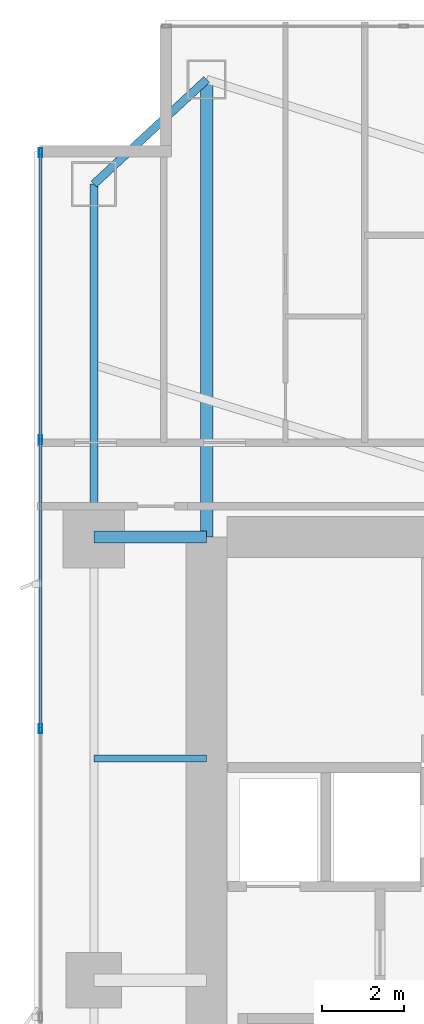
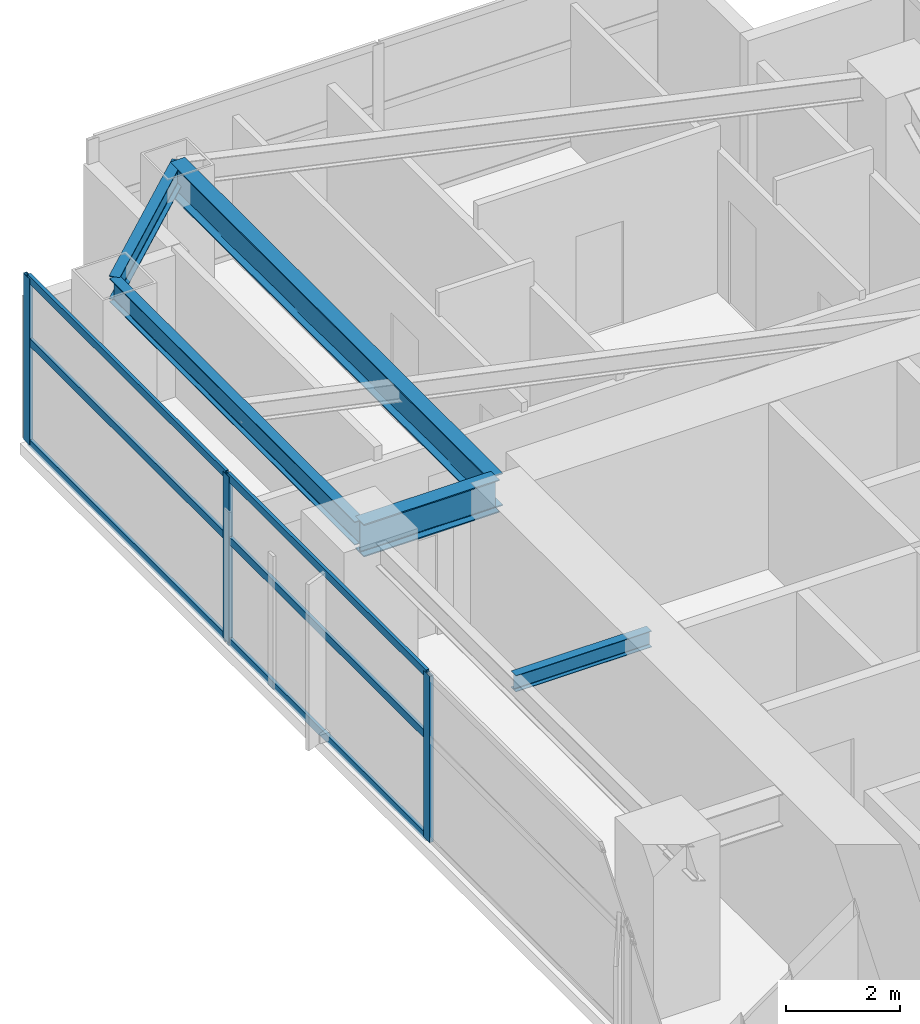
# One storey, part 16 of 30: 9 members, 5 beams, 1 element without a shape of its own.
"""IFC4 building model written with IfcOpenShell, lengths in metres."""

import ifcopenshell
import ifcopenshell.guid

model = None  # the IFC model being written
_history = None  # IfcOwnerHistory: only IFC2X3 demands one
_inside = {}  # id of a spatial element -> (the spatial element, [elements in it])
_under = {}  # id of a project, library or spatial element -> (it, [spatial elements below it])
_declared = {}  # id of a project -> (the project, [libraries it declares])
_typed = {}  # id of a type object -> (the type object, [elements of that type])
_made_of = {}  # id of a material, layer set ... -> (it, [elements and type objects made of it])


def new_model(schema):
    """Start an empty IFC model of exactly this schema.

    Asked for "IFC4X3", IfcOpenShell would pick the latest addendum, in which some entities
    have other attributes; the version numbers below select the first issue.
    IFC2X3 requires an IfcOwnerHistory on every rooted entity: one is made here for all.
    """
    global model, _history
    if schema == "IFC4X3":
        model = ifcopenshell.file(schema_version=(4, 3, 0, 0))
    else:
        model = ifcopenshell.file(schema=schema)
    _inside.clear()
    _under.clear()
    _declared.clear()
    _typed.clear()
    _made_of.clear()
    _history = None
    if model.schema == "IFC2X3":
        org = make("IfcOrganization", Name="unknown")
        user = make(
            "IfcPersonAndOrganization",
            ThePerson=make("IfcPerson", FamilyName="unknown"),
            TheOrganization=org,
        )
        app = make(
            "IfcApplication",
            ApplicationDeveloper=org,
            Version="unknown",
            ApplicationFullName="unknown",
            ApplicationIdentifier="unknown",
        )
        _history = make(
            "IfcOwnerHistory",
            OwningUser=user,
            OwningApplication=app,
            ChangeAction="ADDED",
            CreationDate=0,
        )
    return model


def make(cls, **values):
    """One entity of the class cls with the attributes given. An attribute that is None is left unset."""
    return model.create_entity(
        cls, **{name: value for name, value in values.items() if value is not None}
    )


def rooted(cls, **values):
    """An entity with a GlobalId (a new one), such as an element, a storey or a relation."""
    return make(cls, GlobalId=ifcopenshell.guid.new(), OwnerHistory=_history, **values)


def si_unit(unit_type, name, prefix=None):
    """IfcSIUnit, for example si_unit("LENGTHUNIT", "METRE", prefix="MILLI")."""
    return make("IfcSIUnit", UnitType=unit_type, Prefix=prefix, Name=name)


def assignment(units):
    """IfcUnitAssignment: the units of a project."""
    return None if units is None else make("IfcUnitAssignment", Units=units)


def point(xyz):
    """IfcCartesianPoint."""
    return None if xyz is None else make("IfcCartesianPoint", Coordinates=xyz)


def direction(xyz):
    """IfcDirection."""
    return None if xyz is None else make("IfcDirection", DirectionRatios=xyz)


def frame(location, z_axis=None, x_axis=None):
    """IfcAxis2Placement3D, a coordinate frame: its origin and axes. An axis left out is left unset."""
    return make(
        "IfcAxis2Placement3D",
        Location=point(location),
        Axis=direction(z_axis),
        RefDirection=direction(x_axis),
    )


def frame_2d(location, x_axis=None):
    """IfcAxis2Placement2D, a coordinate frame in the plane: its origin and x axis."""
    return make(
        "IfcAxis2Placement2D", Location=point(location), RefDirection=direction(x_axis)
    )


def origin():
    """The frame at (0, 0, 0) with its axes left unset."""
    return frame((0.0, 0.0, 0.0))


def origin_2d():
    """The frame at (0, 0) in the plane with its x axis left unset."""
    return frame_2d((0.0, 0.0))


def place(relative_to, where):
    """IfcLocalPlacement: puts the frame where relative to a parent placement (None: the world)."""
    return make(
        "IfcLocalPlacement", PlacementRelTo=relative_to, RelativePlacement=where
    )


def context(
    kind, dimensions, precision=None, world=None, true_north=None, identifier=None
):
    """IfcGeometricRepresentationContext, for example the 3D "Model" context."""
    return make(
        "IfcGeometricRepresentationContext",
        ContextIdentifier=identifier,
        ContextType=kind,
        CoordinateSpaceDimension=dimensions,
        Precision=precision,
        WorldCoordinateSystem=world,
        TrueNorth=true_north,
    )


def subcontext(parent, identifier, kind, view, scale=None):
    """IfcGeometricRepresentationSubContext, for example "Body" below "Model"."""
    return make(
        "IfcGeometricRepresentationSubContext",
        ContextIdentifier=identifier,
        ContextType=kind,
        ParentContext=parent,
        TargetScale=scale,
        TargetView=view,
    )


def project(units=None, contexts=None):
    """IfcProject with its units and contexts."""
    return rooted(
        "IfcProject",
        Name="project",
        RepresentationContexts=contexts,
        UnitsInContext=assignment(units),
    )


def spatial(cls, under=None, at=None, **own):
    """A site, building, storey or space (cls), placed at a placement, below another one or the project."""
    s = rooted(cls, ObjectPlacement=at, **own)
    if under is not None:
        _under.setdefault(under.id(), (under, []))[1].append(s)
    return s


def profile(cls, at=None, kind="AREA", **sizes):
    """A parametric profile (cls). Its sizes go by their IFC names, for example OverallWidth=200.0."""
    return make(cls, ProfileType=kind, Position=at, **sizes)


def hollow_rectangle(**sizes):
    """IfcRectangleHollowProfileDef."""
    return profile("IfcRectangleHollowProfileDef", **sizes)


def i_section(**sizes):
    """IfcIShapeProfileDef."""
    return profile("IfcIShapeProfileDef", **sizes)


def extrude(swept, where, along, depth):
    """IfcExtrudedAreaSolid: the profile swept, set in the frame where, extruded along a direction by depth."""
    return make(
        "IfcExtrudedAreaSolid",
        SweptArea=swept,
        Position=where,
        ExtrudedDirection=direction(along),
        Depth=depth,
    )


def shape(context_of_items, identifier, shape_type, items):
    """IfcShapeRepresentation: the items that make up one representation, for example the "Body"."""
    return make(
        "IfcShapeRepresentation",
        ContextOfItems=context_of_items,
        RepresentationIdentifier=identifier,
        RepresentationType=shape_type,
        Items=items,
    )


def material(Name=None, Category=None):
    """IfcMaterial."""
    return make("IfcMaterial", Name=Name, Category=Category)


def layer(
    of_material, thickness, ventilated=None, Name=None, Category=None, Priority=None
):
    """IfcMaterialLayer: one layer of a wall or slab, of a material (None: an air gap)."""
    return make(
        "IfcMaterialLayer",
        Material=of_material,
        LayerThickness=thickness,
        IsVentilated=ventilated,
        Name=Name,
        Category=Category,
        Priority=Priority,
    )


def layer_set(layers, Name=None):
    """IfcMaterialLayerSet."""
    return make("IfcMaterialLayerSet", MaterialLayers=layers, LayerSetName=Name)


def material_profile(
    of_material, cross_section, Name=None, Category=None, Priority=None
):
    """IfcMaterialProfile: a cross section and its material."""
    return make(
        "IfcMaterialProfile",
        Name=Name,
        Material=of_material,
        Profile=cross_section,
        Priority=Priority,
        Category=Category,
    )


def profile_set(profiles, Name=None, composite=None):
    """IfcMaterialProfileSet."""
    return make(
        "IfcMaterialProfileSet",
        Name=Name,
        MaterialProfiles=profiles,
        CompositeProfile=composite,
    )


def made_of(thing, what):
    """Note that an element or type object is made of a material, layer set ...; save() writes the relation."""
    if what is not None:
        _made_of.setdefault(what.id(), (what, []))[1].append(thing)
    return thing


def type_object(cls, material=None, **own):
    """A type object (cls), such as IfcWallType, which elements share."""
    return made_of(rooted(cls, **own), material)


def element(
    cls,
    number,
    at=None,
    inside=None,
    cuts=None,
    type_object=None,
    material=None,
    context=None,
    identifier="Body",
    shape_type=None,
    held_by="IfcProductDefinitionShape",
    body=None,
    shapes=None,
    **own,
):
    """One element of the class cls, such as IfcWall. Its Tag is "e" and its number.

    at: its placement. inside: the storey or other place that contains it. cuts: it is an
    opening in that element (IfcRelVoidsElement). A single representation is given by context,
    identifier, shape_type and body (its items); several are given by shapes. held_by: the class
    of the entity that holds the representations. save() writes the other relations.
    """
    e = rooted(cls, Tag="e%d" % number, ObjectPlacement=at, **own)
    if body is not None:
        shapes = [shape(context, identifier, shape_type, body)]
    if shapes is not None:
        e.Representation = make(held_by, Representations=shapes)
    if inside is not None:
        _inside.setdefault(inside.id(), (inside, []))[1].append(e)
    if cuts is not None:
        rooted(
            "IfcRelVoidsElement", RelatingBuildingElement=cuts, RelatedOpeningElement=e
        )
    if type_object is not None:
        _typed.setdefault(type_object.id(), (type_object, []))[1].append(e)
    return made_of(e, material)


def aggregate(whole, parts):
    """IfcRelAggregates: a whole, such as a stair, and the parts it consists of."""
    return rooted("IfcRelAggregates", RelatingObject=whole, RelatedObjects=parts)


def save(model, path):
    """Write the relations noted so far, then the file.

    IfcRelAggregates (storeys below a building ...), IfcRelContainedInSpatialStructure (elements
    in a storey), IfcRelDefinesByType, IfcRelAssociatesMaterial and IfcRelDeclares: one each for
    every whole, place, type object, material and project.
    """
    for whole, parts in _under.values():
        aggregate(whole, parts)
    for where, things in _inside.values():
        rooted(
            "IfcRelContainedInSpatialStructure",
            RelatedElements=things,
            RelatingStructure=where,
        )
    for kind, things in _typed.values():
        rooted("IfcRelDefinesByType", RelatedObjects=things, RelatingType=kind)
    for what, things in _made_of.values():
        rooted("IfcRelAssociatesMaterial", RelatedObjects=things, RelatingMaterial=what)
    for by, libraries in _declared.values():
        rooted("IfcRelDeclares", RelatingContext=by, RelatedDefinitions=libraries)
    model.write(path)


model = new_model("IFC4")

# Units and contexts
model_context = context("Model", 3, precision=1e-05, world=origin(), true_north=direction((0.0, 1.0)))
body_context = subcontext(model_context, "Body", "Model", "MODEL_VIEW")
ifc_project = project(units=[si_unit("LENGTHUNIT", "METRE"), si_unit("AREAUNIT", "SQUARE_METRE"), si_unit("VOLUMEUNIT", "CUBIC_METRE"), si_unit("PLANEANGLEUNIT", "RADIAN"), si_unit("MASSUNIT", "GRAM", prefix="KILO")], contexts=[model_context])

# Site, building, storey
site_placement = place(None, origin())
site = spatial("IfcSite", under=ifc_project, at=site_placement, CompositionType="ELEMENT")
building_placement = place(site_placement, origin())
building = spatial("IfcBuilding", under=site, at=building_placement, Name="Calvorn Quay Hotel", CompositionType="ELEMENT")
storey_placement = place(building_placement, frame((0.0, 0.0, 77.39990234375)))
storey = spatial("IfcBuildingStorey", under=building, at=storey_placement, Name="L18", CompositionType="ELEMENT", Elevation=77.39990234375)

# Beams
ifc_material_1 = material(Name="Steel Q390GJC", Category="steel")
ifc_material_profile_1 = material_profile(ifc_material_1, i_section(OverallWidth=0.300048828125, OverallDepth=0.699951171875, WebThickness=0.012939453125, FlangeThickness=0.02392578125, FilletRadius=0.02392578125, at=origin_2d()), Name="HN700x300x13x24")
ifc_profile_set_1 = profile_set([ifc_material_profile_1], Name="Steel Q390GJC")
beam_type_1 = type_object("IfcBeamType", Name="BM-GIRD-MAIN", PredefinedType="BEAM", material=ifc_profile_set_1)
beam_1_placement = place(storey_placement, frame((1.449951171875, 38.39990234375, 3.190185546875), z_axis=(1.0, 0.0, 0.0), x_axis=(0.0, 1.0, 0.0)))
element("IfcBeam", 1, at=beam_1_placement, inside=storey, type_object=beam_type_1, Name="Beam BG-L18-W3", PredefinedType="BEAM", context=body_context, shape_type="SweptSolid", body=[
    extrude(i_section(OverallWidth=0.300048828125, OverallDepth=0.699951171875, WebThickness=0.012939453125, FlangeThickness=0.02392578125, FilletRadius=0.02392578125, at=origin_2d()), origin(), (0.0, 0.0, 1.0), 2.75),
])
beam_2_placement = place(storey_placement, frame((4.199951171875, 49.550048828125, 3.190185546875), z_axis=(0.0, -1.0, 0.0), x_axis=(1.0, 0.0, 0.0)))
element("IfcBeam", 2, at=beam_2_placement, inside=storey, type_object=beam_type_1, Name="Beam BG-L18-W5", PredefinedType="BEAM", context=body_context, shape_type="SweptSolid", body=[
    extrude(i_section(OverallWidth=0.300048828125, OverallDepth=0.699951171875, WebThickness=0.012939453125, FlangeThickness=0.02392578125, FilletRadius=0.02392578125, at=origin_2d()), origin(), (0.0, 0.0, 1.0), 11.150146484375),
])
ifc_material_2 = material(Name="Steel Q355B", Category="steel")
ifc_material_profile_2 = material_profile(ifc_material_2, i_section(OverallWidth=0.175048828125, OverallDepth=0.35009765625, WebThickness=0.007080078125, FlangeThickness=0.010986328125, FilletRadius=0.013916015625, at=origin_2d()), Name="HN350x175x7x11")
ifc_profile_set_2 = profile_set([ifc_material_profile_2], Name="Steel Q355B")
beam_type_2 = type_object("IfcBeamType", Name="BM-JOIST-SEC", PredefinedType="JOIST", material=ifc_profile_set_2)
beam_3_placement = place(storey_placement, frame((1.449951171875, 33.0, 3.364990234375), z_axis=(1.0, 0.0, 0.0), x_axis=(0.0, 1.0, 0.0)))
element("IfcBeam", 3, at=beam_3_placement, inside=storey, type_object=beam_type_2, Name="Beam BJ-L18-W4", PredefinedType="JOIST", context=body_context, shape_type="SweptSolid", body=[
    extrude(i_section(OverallWidth=0.175048828125, OverallDepth=0.35009765625, WebThickness=0.007080078125, FlangeThickness=0.010986328125, FilletRadius=0.013916015625, at=origin_2d()), origin(), (0.0, 0.0, 1.0), 2.75),
])
ifc_material_3 = material(Name="Steel Q355B", Category="steel")
ifc_material_profile_3 = material_profile(ifc_material_3, i_section(OverallWidth=0.199951171875, OverallDepth=0.5, WebThickness=0.010009765625, FlangeThickness=0.01611328125, FilletRadius=0.01611328125, at=origin_2d()), Name="HN500x200x10x16")
ifc_profile_set_3 = profile_set([ifc_material_profile_3], Name="Steel Q355B")
beam_type_3 = type_object("IfcBeamType", Name="BM-SPANDREL-Z1", PredefinedType="SPANDREL", material=ifc_profile_set_3)
beam_4_placement = place(storey_placement, frame((1.449951171875, 38.39990234375, 3.2900390625), z_axis=(0.0, 1.0, 0.0), x_axis=(-1.0, 0.0, 0.0)))
element("IfcBeam", 4, at=beam_4_placement, inside=storey, type_object=beam_type_3, Name="Beam BSP-L18-W4", PredefinedType="SPANDREL", context=body_context, shape_type="SweptSolid", body=[
    extrude(i_section(OverallWidth=0.199951171875, OverallDepth=0.5, WebThickness=0.010009765625, FlangeThickness=0.01611328125, FilletRadius=0.01611328125, at=origin_2d()), origin(), (0.0, 0.0, 1.0), 8.60009765625),
])
beam_5_placement = place(storey_placement, frame((1.449951171875, 47.0, 3.2900390625), z_axis=(0.733261665538, 0.679946563969, 0.0), x_axis=(-0.679946563969, 0.733261665538, 0.0)))
element("IfcBeam", 5, at=beam_5_placement, inside=storey, type_object=beam_type_3, Name="Beam BSP-L18-W5", PredefinedType="SPANDREL", context=body_context, shape_type="SweptSolid", body=[
    extrude(i_section(OverallWidth=0.199951171875, OverallDepth=0.5, WebThickness=0.010009765625, FlangeThickness=0.01611328125, FilletRadius=0.01611328125, at=origin_2d()), origin(), (0.0, 0.0, 1.0), 3.75048828125),
])

# Curtain wall, members
ifc_material_4 = material(Name="Pale Anodised Aluminium and Low-E Glass", Category="aluminium")
ifc_layer = layer(ifc_material_4, 0.219970703125)
ifc_layer_set = layer_set([ifc_layer], Name="CW-SYS-Z1")
curtain_wall_type = type_object("IfcCurtainWallType", Name="CW-SYS-Z1", PredefinedType="NOTDEFINED", material=ifc_layer_set)
curtain_wall_placement = place(storey_placement, origin())
curtain_wall = element("IfcCurtainWall", 6, at=curtain_wall_placement, inside=storey, type_object=curtain_wall_type, Name="Tower West Curtain Wall (L18)", PredefinedType="NOTDEFINED")
ifc_material_5 = material(Name="Pale Anodised Aluminium 6063-T6", Category="aluminium")
ifc_material_profile_4 = material_profile(ifc_material_5, hollow_rectangle(XDim=0.074951171875, YDim=0.219970703125, WallThickness=0.00439453125, at=origin_2d()), Name="ALU-M220x75x4.5")
ifc_profile_set_4 = profile_set([ifc_material_profile_4], Name="Pale Anodised Aluminium 6063-T6")
member_type_1 = type_object("IfcMemberType", Name="CW-SYS-Z1-MUL", PredefinedType="MULLION", material=ifc_profile_set_4)
member_1_placement = place(storey_placement, frame((0.14990234375, 33.7333984375, 0.0), z_axis=(0.0, 0.0, 1.0), x_axis=(-1.0, 0.0, 0.0)))
member_1 = element("IfcMember", 7, at=member_1_placement, type_object=member_type_1, Name="CW-L18-W mullion 5", PredefinedType="MULLION", context=body_context, shape_type="SweptSolid", body=[
    extrude(hollow_rectangle(XDim=0.074951171875, YDim=0.219970703125, WallThickness=0.00439453125, at=origin_2d()), origin(), (0.0, 0.0, 1.0), 3.56005859375),
])
member_2_placement = place(storey_placement, frame((0.14990234375, 40.7666015625, 0.0), z_axis=(0.0, 0.0, 1.0), x_axis=(-1.0, 0.0, 0.0)))
member_2 = element("IfcMember", 8, at=member_2_placement, type_object=member_type_1, Name="CW-L18-W mullion 6", PredefinedType="MULLION", context=body_context, shape_type="SweptSolid", body=[
    extrude(hollow_rectangle(XDim=0.074951171875, YDim=0.219970703125, WallThickness=0.00439453125, at=origin_2d()), origin(), (0.0, 0.0, 1.0), 3.56005859375),
])
member_3_placement = place(storey_placement, frame((0.14990234375, 47.77001953125, 0.0), z_axis=(0.0, 0.0, 1.0), x_axis=(-1.0, 0.0, 0.0)))
member_3 = element("IfcMember", 9, at=member_3_placement, type_object=member_type_1, Name="CW-L18-W mullion 7", PredefinedType="MULLION", context=body_context, shape_type="SweptSolid", body=[
    extrude(hollow_rectangle(XDim=0.074951171875, YDim=0.219970703125, WallThickness=0.00439453125, at=origin_2d()), origin(), (0.0, 0.0, 1.0), 3.56005859375),
])
ifc_material_6 = material(Name="Pale Anodised Aluminium 6063-T6", Category="aluminium")
ifc_material_profile_5 = material_profile(ifc_material_6, hollow_rectangle(XDim=0.06494140625, YDim=0.1650390625, WallThickness=0.00341796875, at=origin_2d()), Name="ALU-T165x65x3.5")
ifc_profile_set_5 = profile_set([ifc_material_profile_5], Name="Pale Anodised Aluminium 6063-T6")
member_type_2 = type_object("IfcMemberType", Name="CW-SYS-Z1-TRN", PredefinedType="USERDEFINED", material=ifc_profile_set_5)
member_4_placement = place(storey_placement, frame((0.14990234375, 33.763427734375, 0.030029296875), z_axis=(0.0, 1.0, 0.0), x_axis=(-1.0, 0.0, 0.0)))
member_4 = element("IfcMember", 10, at=member_4_placement, type_object=member_type_2, Name="CW-L18-W transom 5.1", ObjectType="TRANSOM", PredefinedType="USERDEFINED", context=body_context, shape_type="SweptSolid", body=[
    extrude(hollow_rectangle(XDim=0.06494140625, YDim=0.1650390625, WallThickness=0.00341796875, at=origin_2d()), origin(), (0.0, 0.0, 1.0), 6.97314453125),
])
member_5_placement = place(storey_placement, frame((0.14990234375, 33.763427734375, 2.2001953125), z_axis=(0.0, 1.0, 0.0), x_axis=(-1.0, 0.0, 0.0)))
member_5 = element("IfcMember", 11, at=member_5_placement, type_object=member_type_2, Name="CW-L18-W transom 5.2", ObjectType="TRANSOM", PredefinedType="USERDEFINED", context=body_context, shape_type="SweptSolid", body=[
    extrude(hollow_rectangle(XDim=0.06494140625, YDim=0.1650390625, WallThickness=0.00341796875, at=origin_2d()), origin(), (0.0, 0.0, 1.0), 6.97314453125),
])
member_6_placement = place(storey_placement, frame((0.14990234375, 33.763427734375, 3.530029296875), z_axis=(0.0, 1.0, 0.0), x_axis=(-1.0, 0.0, 0.0)))
member_6 = element("IfcMember", 12, at=member_6_placement, type_object=member_type_2, Name="CW-L18-W transom 5.3", ObjectType="TRANSOM", PredefinedType="USERDEFINED", context=body_context, shape_type="SweptSolid", body=[
    extrude(hollow_rectangle(XDim=0.06494140625, YDim=0.1650390625, WallThickness=0.00341796875, at=origin_2d()), origin(), (0.0, 0.0, 1.0), 6.97314453125),
])
member_7_placement = place(storey_placement, frame((0.14990234375, 40.796630859375, 0.030029296875), z_axis=(0.0, 1.0, 0.0), x_axis=(-1.0, 0.0, 0.0)))
member_7 = element("IfcMember", 13, at=member_7_placement, type_object=member_type_2, Name="CW-L18-W transom 6.1", ObjectType="TRANSOM", PredefinedType="USERDEFINED", context=body_context, shape_type="SweptSolid", body=[
    extrude(hollow_rectangle(XDim=0.06494140625, YDim=0.1650390625, WallThickness=0.00341796875, at=origin_2d()), origin(), (0.0, 0.0, 1.0), 6.943359375),
])
member_8_placement = place(storey_placement, frame((0.14990234375, 40.796630859375, 2.2001953125), z_axis=(0.0, 1.0, 0.0), x_axis=(-1.0, 0.0, 0.0)))
member_8 = element("IfcMember", 14, at=member_8_placement, type_object=member_type_2, Name="CW-L18-W transom 6.2", ObjectType="TRANSOM", PredefinedType="USERDEFINED", context=body_context, shape_type="SweptSolid", body=[
    extrude(hollow_rectangle(XDim=0.06494140625, YDim=0.1650390625, WallThickness=0.00341796875, at=origin_2d()), origin(), (0.0, 0.0, 1.0), 6.943359375),
])
member_9_placement = place(storey_placement, frame((0.14990234375, 40.796630859375, 3.530029296875), z_axis=(0.0, 1.0, 0.0), x_axis=(-1.0, 0.0, 0.0)))
member_9 = element("IfcMember", 15, at=member_9_placement, type_object=member_type_2, Name="CW-L18-W transom 6.3", ObjectType="TRANSOM", PredefinedType="USERDEFINED", context=body_context, shape_type="SweptSolid", body=[
    extrude(hollow_rectangle(XDim=0.06494140625, YDim=0.1650390625, WallThickness=0.00341796875, at=origin_2d()), origin(), (0.0, 0.0, 1.0), 6.943359375),
])
aggregate(curtain_wall, [member_1, member_2, member_3, member_4, member_5, member_6, member_7, member_8, member_9])

save(model, "model.ifc")
